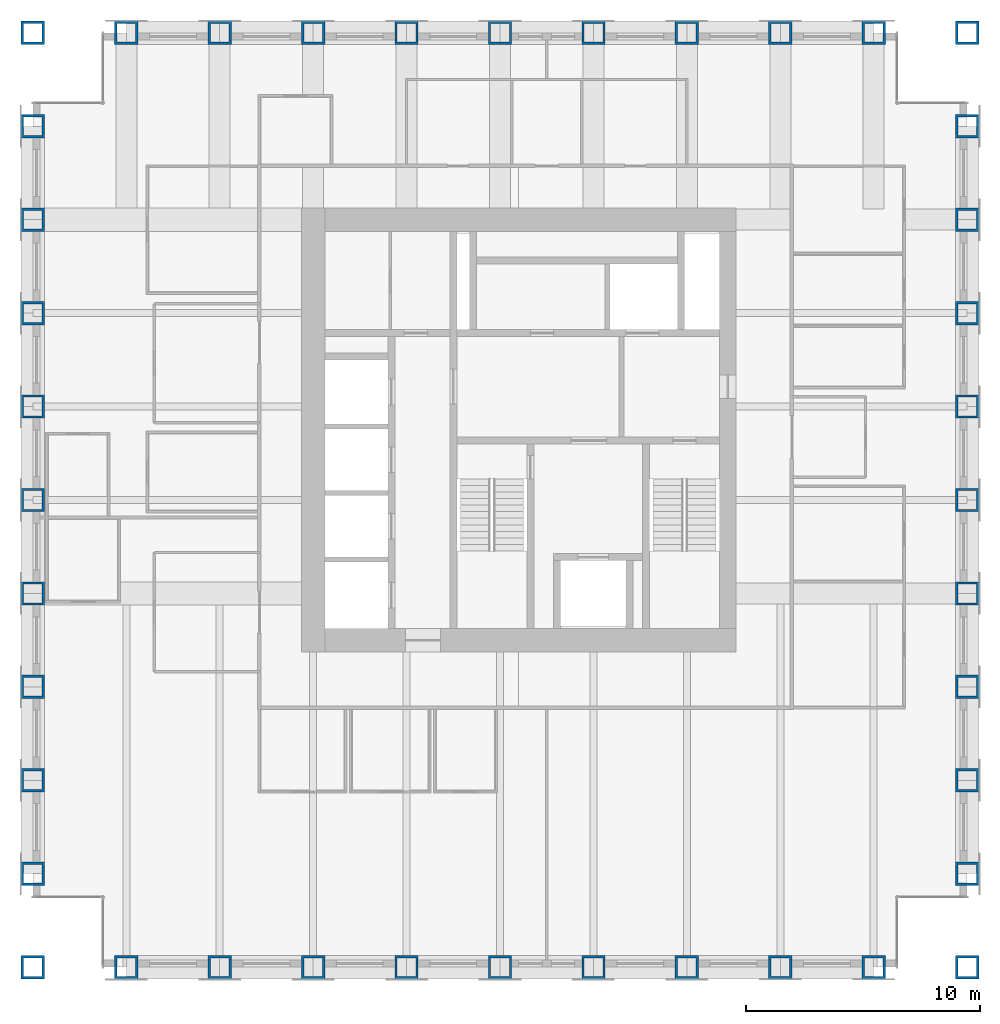
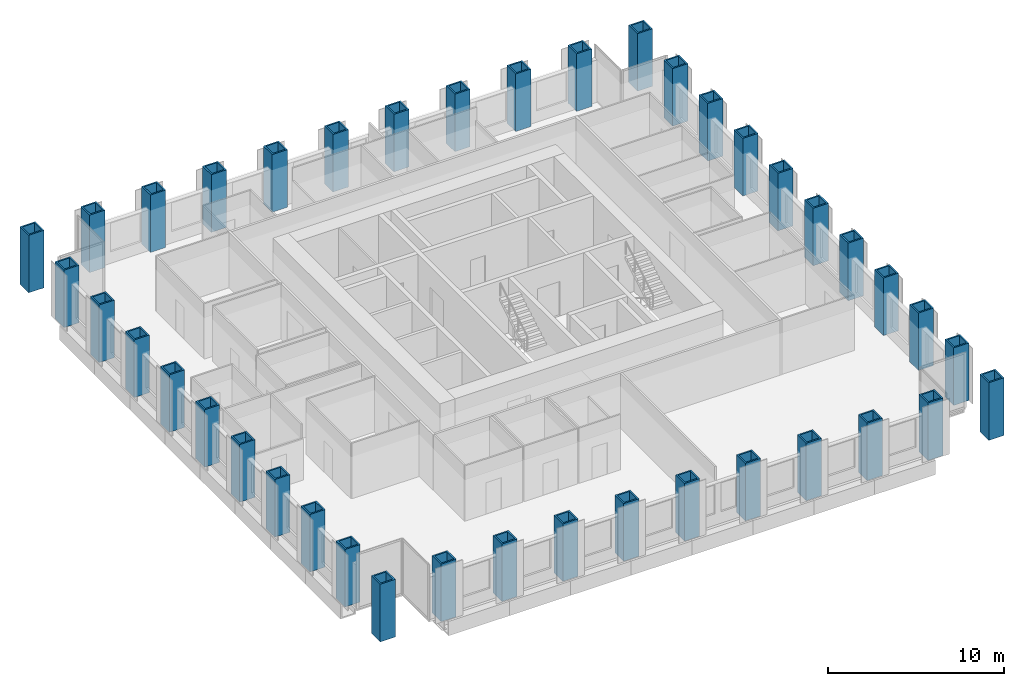
# One storey, part 1 of 13: 40 columns.
"""IFC4 building model written with IfcOpenShell, lengths in metres."""

from ifc_helpers import new_model, si_unit, direction, frame, origin, origin_2d, place, context, subcontext, project, spatial, hollow_rectangle, extrude, material, material_profile, profile_set, type_object, element, save


model = new_model("IFC4")

# Units and contexts
model_context = context("Model", 3, precision=1e-05, world=origin(), true_north=direction((0.0, 1.0)))
body_context = subcontext(model_context, "Body", "Model", "MODEL_VIEW")
ifc_project = project(units=[si_unit("LENGTHUNIT", "METRE"), si_unit("AREAUNIT", "SQUARE_METRE"), si_unit("VOLUMEUNIT", "CUBIC_METRE"), si_unit("PLANEANGLEUNIT", "RADIAN"), si_unit("MASSUNIT", "GRAM", prefix="KILO")], contexts=[model_context])

# Site, building, storey
site_placement = place(None, origin())
site = spatial("IfcSite", under=ifc_project, at=site_placement, CompositionType="ELEMENT")
building_placement = place(site_placement, origin())
building = spatial("IfcBuilding", under=site, at=building_placement, Name="Rimbunsela Tower", CompositionType="ELEMENT")
storey_placement = place(building_placement, frame((0.0, 0.0, 294.199951171875)))
storey = spatial("IfcBuildingStorey", under=building, at=storey_placement, Name="L71", CompositionType="ELEMENT", Elevation=294.199951171875)

# Columns
ifc_material = material(Name="Steel BJ 55 (fy 410 MPa)", Category="steel")
ifc_material_profile = material_profile(ifc_material, hollow_rectangle(XDim=1.0, YDim=1.0, WallThickness=0.10009765625, at=origin_2d()), Name="BOX 1000x1000x100")
ifc_profile_set = profile_set([ifc_material_profile], Name="Steel BJ 55 (fy 410 MPa)")
column_type = type_object("IfcColumnType", Name="Column BOX 1000x1000x100", PredefinedType="COLUMN", material=ifc_profile_set)
for number, where, z_axis, x_axis, name in (
    (1, (6.0, 4.0, 0.0), (0.0, 0.0, 1.0), (1.0, 0.0, 0.0), "Column C1 4/C L71"),
    (2, (6.0, 8.0, 0.0), (0.0, 0.0, 1.0), (1.0, 0.0, 0.0), "Column C1 4/D L71"),
    (3, (6.0, 12.0, 0.0), (0.0, 0.0, 1.0), (1.0, 0.0, 0.0), "Column C1 4/E L71"),
    (4, (6.0, 16.0, 0.0), (0.0, 0.0, 1.0), (1.0, 0.0, 0.0), "Column C1 4/F L71"),
    (5, (6.0, 20.0, 0.0), (0.0, 0.0, 1.0), (1.0, 0.0, 0.0), "Column C1 4/G L71"),
    (6, (6.0, 24.0, 0.0), (0.0, 0.0, 1.0), (1.0, 0.0, 0.0), "Column C1 4/H L71"),
    (7, (6.0, 28.0, 0.0), (0.0, 0.0, 1.0), (1.0, 0.0, 0.0), "Column C1 4/J L71"),
    (8, (6.0, 32.0, 0.0), (0.0, 0.0, 1.0), (1.0, 0.0, 0.0), "Column C1 4/K L71"),
    (9, (6.0, 36.0, 0.0), (0.0, 0.0, 1.0), (1.0, 0.0, 0.0), "Column C1 4/L L71"),
    (10, (6.0, 40.0, 0.0), (0.0, 0.0, 1.0), (1.0, 0.0, 0.0), "Column C1 4/M L71"),
    (11, (6.0, 44.0, 0.0), (0.0, 0.0, 1.0), (1.0, 0.0, 0.0), "Column C1 4/N L71"),
    (12, (10.0, 4.0, 0.0), (0.0, 0.0, 1.0), (1.0, 0.0, 0.0), "Column C1 5/C L71"),
    (13, (10.0, 44.0, 0.0), (0.0, 0.0, 1.0), (1.0, 0.0, 0.0), "Column C1 5/N L71"),
    (14, (14.0, 4.0, 0.0), (0.0, 0.0, 1.0), (1.0, 0.0, 0.0), "Column C1 6/C L71"),
    (15, (14.0, 44.0, 0.0), (0.0, 0.0, 1.0), (1.0, 0.0, 0.0), "Column C1 6/N L71"),
    (16, (18.0, 4.0, 0.0), (0.0, 0.0, 1.0), (1.0, 0.0, 0.0), "Column C1 7/C L71"),
    (17, (18.0, 44.0, 0.0), (0.0, 0.0, 1.0), (1.0, 0.0, 0.0), "Column C1 7/N L71"),
    (18, (22.0, 4.0, 0.0), (0.0, 0.0, 1.0), (1.0, 0.0, 0.0), "Column C1 8/C L71"),
    (19, (22.0, 44.0, 0.0), (0.0, 0.0, 1.0), (1.0, 0.0, 0.0), "Column C1 8/N L71"),
    (20, (26.0, 4.0, 0.0), (0.0, 0.0, 1.0), (1.0, 0.0, 0.0), "Column C1 9/C L71"),
    (21, (26.0, 44.0, 0.0), (0.0, 0.0, 1.0), (1.0, 0.0, 0.0), "Column C1 9/N L71"),
    (22, (30.0, 4.0, 0.0), (0.0, 0.0, 1.0), (1.0, 0.0, 0.0), "Column C1 10/C L71"),
    (23, (30.0, 44.0, 0.0), (0.0, 0.0, 1.0), (1.0, 0.0, 0.0), "Column C1 10/N L71"),
    (24, (34.0, 4.0, 0.0), (0.0, 0.0, 1.0), (1.0, 0.0, 0.0), "Column C1 11/C L71"),
    (25, (34.0, 44.0, 0.0), (0.0, 0.0, 1.0), (1.0, 0.0, 0.0), "Column C1 11/N L71"),
    (26, (38.0, 4.0, 0.0), (0.0, 0.0, 1.0), (1.0, 0.0, 0.0), "Column C1 12/C L71"),
    (27, (38.0, 44.0, 0.0), (0.0, 0.0, 1.0), (1.0, 0.0, 0.0), "Column C1 12/N L71"),
    (28, (42.0, 4.0, 0.0), (0.0, 0.0, 1.0), (1.0, 0.0, 0.0), "Column C1 13/C L71"),
    (29, (42.0, 44.0, 0.0), (0.0, 0.0, 1.0), (1.0, 0.0, 0.0), "Column C1 13/N L71"),
    (30, (46.0, 4.0, 0.0), (0.0, 0.0, 1.0), (1.0, 0.0, 0.0), "Column C1 14/C L71"),
    (31, (46.0, 8.0, 0.0), (0.0, 0.0, 1.0), (1.0, 0.0, 0.0), "Column C1 14/D L71"),
    (32, (46.0, 12.0, 0.0), (0.0, 0.0, 1.0), (1.0, 0.0, 0.0), "Column C1 14/E L71"),
    (33, (46.0, 16.0, 0.0), (0.0, 0.0, 1.0), (1.0, 0.0, 0.0), "Column C1 14/F L71"),
    (34, (46.0, 20.0, 0.0), (0.0, 0.0, 1.0), (1.0, 0.0, 0.0), "Column C1 14/G L71"),
    (35, (46.0, 24.0, 0.0), (0.0, 0.0, 1.0), (1.0, 0.0, 0.0), "Column C1 14/H L71"),
    (36, (46.0, 28.0, 0.0), (0.0, 0.0, 1.0), (1.0, 0.0, 0.0), "Column C1 14/J L71"),
    (37, (46.0, 32.0, 0.0), (0.0, 0.0, 1.0), (1.0, 0.0, 0.0), "Column C1 14/K L71"),
    (38, (46.0, 36.0, 0.0), (0.0, 0.0, 1.0), (1.0, 0.0, 0.0), "Column C1 14/L L71"),
    (39, (46.0, 40.0, 0.0), (0.0, 0.0, 1.0), (1.0, 0.0, 0.0), "Column C1 14/M L71"),
    (40, (46.0, 44.0, 0.0), (0.0, 0.0, 1.0), (1.0, 0.0, 0.0), "Column C1 14/N L71"),
):
    element("IfcColumn", number, at=place(storey_placement, frame(where, z_axis=z_axis, x_axis=x_axis)), inside=storey, type_object=column_type, Name=name, PredefinedType="COLUMN", context=body_context, shape_type="SweptSolid", body=[
        extrude(hollow_rectangle(XDim=1.0, YDim=1.0, WallThickness=0.10009765625, at=origin_2d()), origin(), (0.0, 0.0, 1.0), 4.0),
    ])

save(model, "model.ifc")
